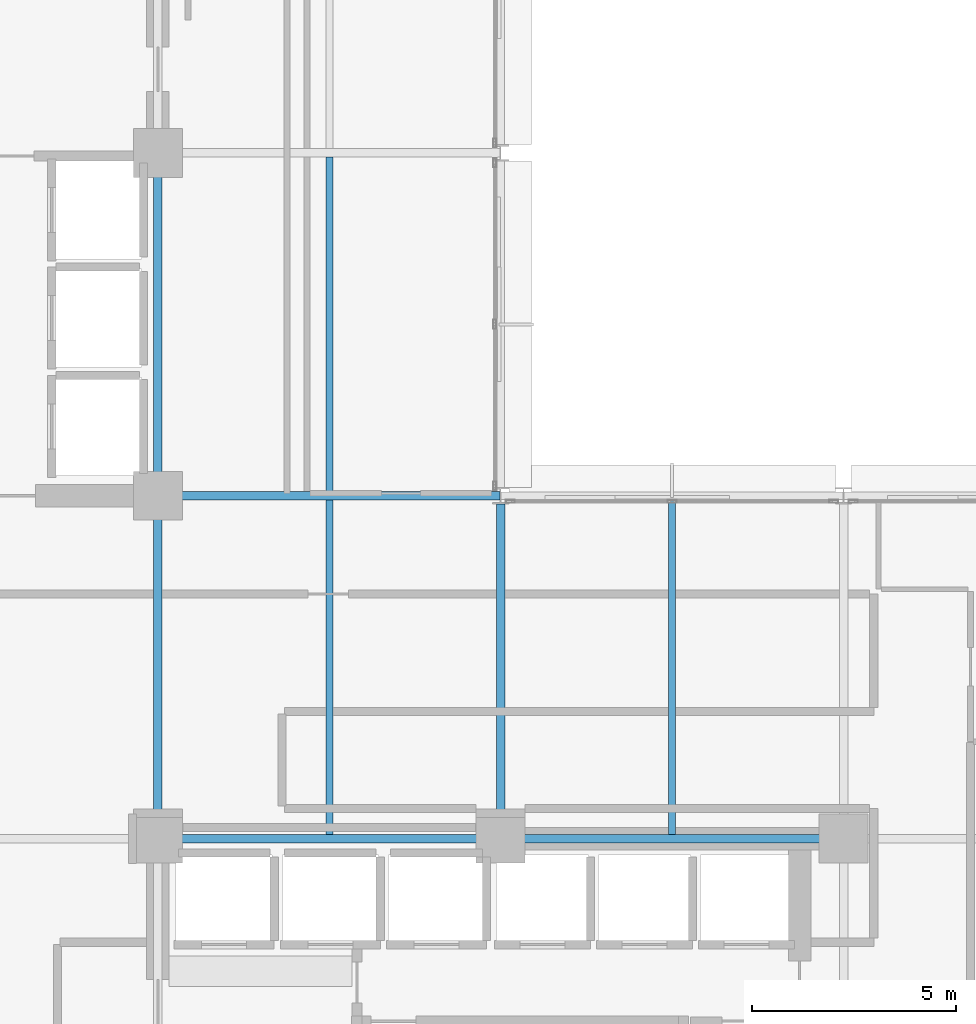
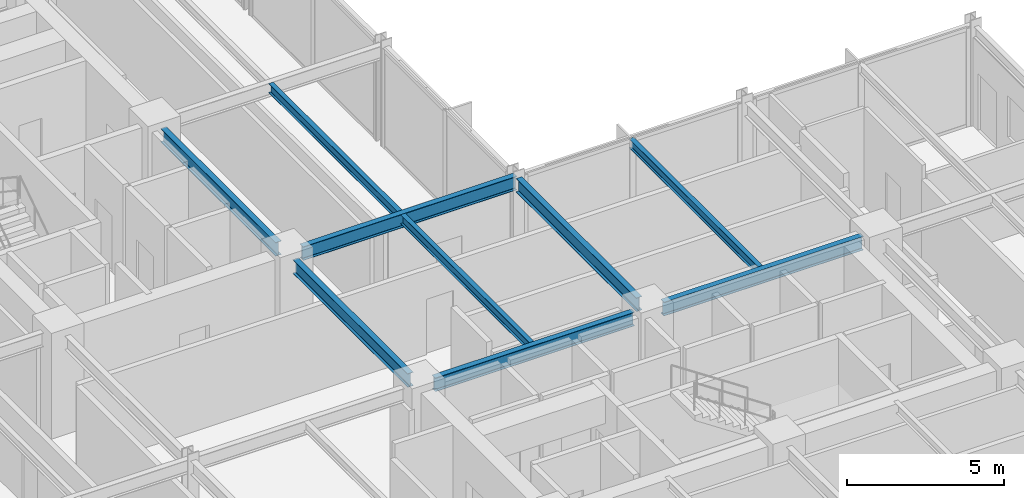
# One storey, part 8 of 25: 9 beams.
"""IFC4 building model written with IfcOpenShell, lengths in metres."""

from ifc_helpers import new_model, si_unit, direction, frame, origin, origin_2d, place, context, subcontext, project, spatial, i_section, extrude, material, material_profile, profile_set, type_object, element, save


model = new_model("IFC4")

# Units and contexts
model_context = context("Model", 3, precision=1e-05, world=origin(), true_north=direction((0.0, 1.0)))
body_context = subcontext(model_context, "Body", "Model", "MODEL_VIEW")
ifc_project = project(units=[si_unit("LENGTHUNIT", "METRE"), si_unit("AREAUNIT", "SQUARE_METRE"), si_unit("VOLUMEUNIT", "CUBIC_METRE"), si_unit("PLANEANGLEUNIT", "RADIAN"), si_unit("MASSUNIT", "GRAM", prefix="KILO")], contexts=[model_context])

# Site, building, storey
site_placement = place(None, origin())
site = spatial("IfcSite", under=ifc_project, at=site_placement, CompositionType="ELEMENT")
building_placement = place(site_placement, origin())
building = spatial("IfcBuilding", under=site, at=building_placement, Name="Nerrivon Quay Data Exchange", CompositionType="ELEMENT")
storey_placement = place(building_placement, frame((0.0, 0.0, 113.10009765625)))
storey = spatial("IfcBuildingStorey", under=building, at=storey_placement, Name="L26", CompositionType="ELEMENT", Elevation=113.10009765625)

# Beams
ifc_material = material(Name="Steel Grade 350", Category="steel")
ifc_material_profile_1 = material_profile(ifc_material, i_section(OverallWidth=0.208984375, OverallDepth=0.532958984375, WebThickness=0.01025390625, FlangeThickness=0.015625, FilletRadius=0.013916015625, at=origin_2d()), Name="530UB92.4")
ifc_profile_set_1 = profile_set([ifc_material_profile_1], Name="Steel Grade 350")
beam_type_1 = type_object("IfcBeamType", Name="BM-G3-530UB92", PredefinedType="BEAM", material=ifc_profile_set_1)
beam_1_placement = place(storey_placement, frame((17.340087890625, 16.800048828125, 3.558349609375), z_axis=(1.0, 0.0, 0.0), x_axis=(0.0, 1.0, 0.0)))
element("IfcBeam", 1, at=beam_1_placement, inside=storey, type_object=beam_type_1, Name="L26 EW Girder Y=16.8 (16.8..25.2)", PredefinedType="BEAM", context=body_context, shape_type="SweptSolid", body=[
    extrude(i_section(OverallWidth=0.208984375, OverallDepth=0.532958984375, WebThickness=0.01025390625, FlangeThickness=0.015625, FilletRadius=0.013916015625, at=origin_2d()), origin(), (0.0, 0.0, 1.0), 7.31982421875),
])
beam_2_placement = place(storey_placement, frame((25.739990234375, 16.800048828125, 3.558349609375), z_axis=(1.0, 0.0, 0.0), x_axis=(0.0, 1.0, 0.0)))
element("IfcBeam", 2, at=beam_2_placement, inside=storey, type_object=beam_type_1, Name="L26 EW Girder Y=16.8 (25.2..33.6)", PredefinedType="BEAM", context=body_context, shape_type="SweptSolid", body=[
    extrude(i_section(OverallWidth=0.208984375, OverallDepth=0.532958984375, WebThickness=0.01025390625, FlangeThickness=0.015625, FilletRadius=0.013916015625, at=origin_2d()), origin(), (0.0, 0.0, 1.0), 7.320068359375),
])
beam_3_placement = place(storey_placement, frame((17.340087890625, 25.199951171875, 3.558349609375), z_axis=(1.0, 0.0, 0.0), x_axis=(0.0, 1.0, 0.0)))
element("IfcBeam", 3, at=beam_3_placement, inside=storey, type_object=beam_type_1, Name="L26 EW Girder Y=25.2 (16.8..25.2)", PredefinedType="BEAM", context=body_context, shape_type="SweptSolid", body=[
    extrude(i_section(OverallWidth=0.208984375, OverallDepth=0.532958984375, WebThickness=0.01025390625, FlangeThickness=0.015625, FilletRadius=0.013916015625, at=origin_2d()), origin(), (0.0, 0.0, 1.0), 7.847412109375),
])
ifc_material_profile_2 = material_profile(ifc_material, i_section(OverallWidth=0.208984375, OverallDepth=0.528076171875, WebThickness=0.009521484375, FlangeThickness=0.01318359375, FilletRadius=0.013916015625, at=origin_2d()), Name="530UB82.0")
ifc_profile_set_2 = profile_set([ifc_material_profile_2], Name="Steel Grade 350")
beam_type_2 = type_object("IfcBeamType", Name="BM-G4-530UB82", PredefinedType="BEAM", material=ifc_profile_set_2)
beam_4_placement = place(storey_placement, frame((16.800048828125, 17.340087890625, 3.560791015625), z_axis=(0.0, 1.0, 0.0), x_axis=(-1.0, 0.0, 0.0)))
element("IfcBeam", 4, at=beam_4_placement, inside=storey, type_object=beam_type_2, Name="L26 NS Girder X=16.8 (16.8..25.2)", PredefinedType="BEAM", context=body_context, shape_type="SweptSolid", body=[
    extrude(i_section(OverallWidth=0.208984375, OverallDepth=0.528076171875, WebThickness=0.009521484375, FlangeThickness=0.01318359375, FilletRadius=0.013916015625, at=origin_2d()), origin(), (0.0, 0.0, 1.0), 7.31982421875),
])
beam_5_placement = place(storey_placement, frame((16.800048828125, 25.739990234375, 3.560791015625), z_axis=(0.0, 1.0, 0.0), x_axis=(-1.0, 0.0, 0.0)))
element("IfcBeam", 5, at=beam_5_placement, inside=storey, type_object=beam_type_2, Name="L26 NS Girder X=16.8 (25.2..33.6)", PredefinedType="BEAM", context=body_context, shape_type="SweptSolid", body=[
    extrude(i_section(OverallWidth=0.208984375, OverallDepth=0.528076171875, WebThickness=0.009521484375, FlangeThickness=0.01318359375, FilletRadius=0.013916015625, at=origin_2d()), origin(), (0.0, 0.0, 1.0), 7.320068359375),
])
beam_6_placement = place(storey_placement, frame((25.199951171875, 17.340087890625, 3.560791015625), z_axis=(0.0, 1.0, 0.0), x_axis=(-1.0, 0.0, 0.0)))
element("IfcBeam", 6, at=beam_6_placement, inside=storey, type_object=beam_type_2, Name="L26 NS Girder X=25.2 (16.8..25.2)", PredefinedType="BEAM", context=body_context, shape_type="SweptSolid", body=[
    extrude(i_section(OverallWidth=0.208984375, OverallDepth=0.528076171875, WebThickness=0.009521484375, FlangeThickness=0.01318359375, FilletRadius=0.013916015625, at=origin_2d()), origin(), (0.0, 0.0, 1.0), 7.659912109375),
])
ifc_material_profile_3 = material_profile(ifc_material, i_section(OverallWidth=0.1708984375, OverallDepth=0.35595703125, WebThickness=0.00732421875, FlangeThickness=0.011474609375, FilletRadius=0.011474609375, at=origin_2d()), Name="360UB50.7")
ifc_profile_set_3 = profile_set([ifc_material_profile_3], Name="Steel Grade 350")
beam_type_3 = type_object("IfcBeamType", Name="BM-J4-360UB51", PredefinedType="JOIST", material=ifc_profile_set_3)
beam_7_placement = place(storey_placement, frame((21.0, 16.904541015625, 3.64697265625), z_axis=(0.0, 1.0, 0.0), x_axis=(-1.0, 0.0, 0.0)))
element("IfcBeam", 7, at=beam_7_placement, inside=storey, type_object=beam_type_3, Name="L26 Secondary Joist X=21.0 (16.8..25.2)", PredefinedType="JOIST", context=body_context, shape_type="SweptSolid", body=[
    extrude(i_section(OverallWidth=0.1708984375, OverallDepth=0.35595703125, WebThickness=0.00732421875, FlangeThickness=0.011474609375, FilletRadius=0.011474609375, at=origin_2d()), origin(), (0.0, 0.0, 1.0), 8.19091796875),
])
beam_8_placement = place(storey_placement, frame((21.0, 25.304443359375, 3.64697265625), z_axis=(0.0, 1.0, 0.0), x_axis=(-1.0, 0.0, 0.0)))
element("IfcBeam", 8, at=beam_8_placement, inside=storey, type_object=beam_type_3, Name="L26 Secondary Joist X=21.0 (25.2..33.6)", PredefinedType="JOIST", context=body_context, shape_type="SweptSolid", body=[
    extrude(i_section(OverallWidth=0.1708984375, OverallDepth=0.35595703125, WebThickness=0.00732421875, FlangeThickness=0.011474609375, FilletRadius=0.011474609375, at=origin_2d()), origin(), (0.0, 0.0, 1.0), 8.191162109375),
])
beam_9_placement = place(storey_placement, frame((29.39990234375, 16.904541015625, 3.64697265625), z_axis=(0.0, 1.0, 0.0), x_axis=(-1.0, 0.0, 0.0)))
element("IfcBeam", 9, at=beam_9_placement, inside=storey, type_object=beam_type_3, Name="L26 Secondary Joist X=29.4 (16.8..25.2)", PredefinedType="JOIST", context=body_context, shape_type="SweptSolid", body=[
    extrude(i_section(OverallWidth=0.1708984375, OverallDepth=0.35595703125, WebThickness=0.00732421875, FlangeThickness=0.011474609375, FilletRadius=0.011474609375, at=origin_2d()), origin(), (0.0, 0.0, 1.0), 8.20654296875),
])

save(model, "model.ifc")
